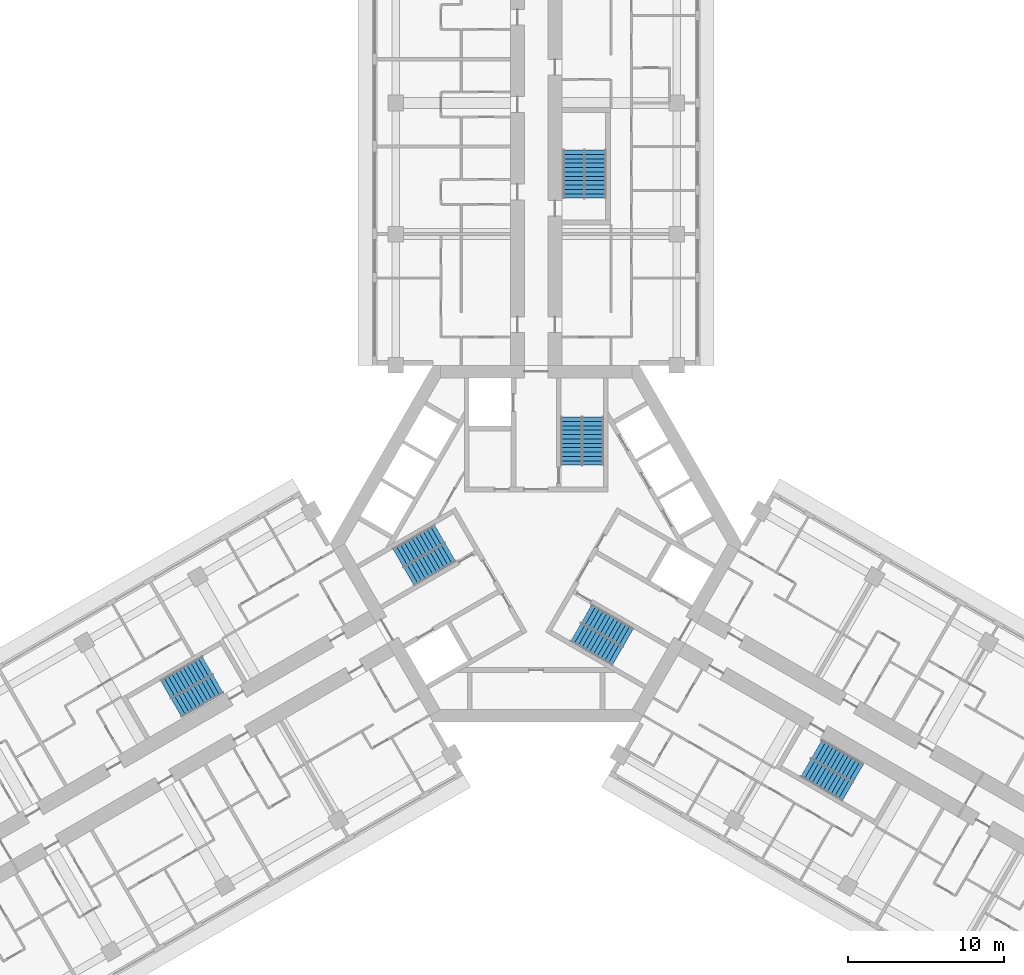
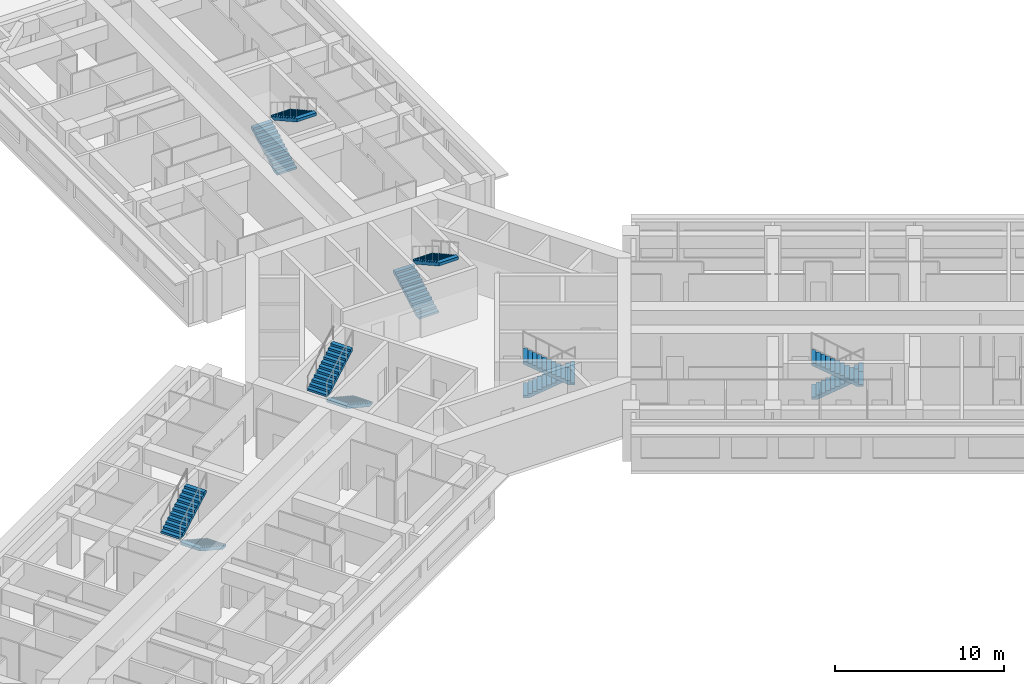
# One storey, part 14 of 16: 12 stair flights, 6 elements without a shape of their own.
"""IFC4 building model written with IfcOpenShell, lengths in metres."""

import ifcopenshell
import ifcopenshell.guid

model = None  # the IFC model being written
_history = None  # IfcOwnerHistory: only IFC2X3 demands one
_inside = {}  # id of a spatial element -> (the spatial element, [elements in it])
_under = {}  # id of a project, library or spatial element -> (it, [spatial elements below it])
_declared = {}  # id of a project -> (the project, [libraries it declares])
_typed = {}  # id of a type object -> (the type object, [elements of that type])
_made_of = {}  # id of a material, layer set ... -> (it, [elements and type objects made of it])


def new_model(schema):
    """Start an empty IFC model of exactly this schema.

    Asked for "IFC4X3", IfcOpenShell would pick the latest addendum, in which some entities
    have other attributes; the version numbers below select the first issue.
    IFC2X3 requires an IfcOwnerHistory on every rooted entity: one is made here for all.
    """
    global model, _history
    if schema == "IFC4X3":
        model = ifcopenshell.file(schema_version=(4, 3, 0, 0))
    else:
        model = ifcopenshell.file(schema=schema)
    _inside.clear()
    _under.clear()
    _declared.clear()
    _typed.clear()
    _made_of.clear()
    _history = None
    if model.schema == "IFC2X3":
        org = make("IfcOrganization", Name="unknown")
        user = make(
            "IfcPersonAndOrganization",
            ThePerson=make("IfcPerson", FamilyName="unknown"),
            TheOrganization=org,
        )
        app = make(
            "IfcApplication",
            ApplicationDeveloper=org,
            Version="unknown",
            ApplicationFullName="unknown",
            ApplicationIdentifier="unknown",
        )
        _history = make(
            "IfcOwnerHistory",
            OwningUser=user,
            OwningApplication=app,
            ChangeAction="ADDED",
            CreationDate=0,
        )
    return model


def make(cls, **values):
    """One entity of the class cls with the attributes given. An attribute that is None is left unset."""
    return model.create_entity(
        cls, **{name: value for name, value in values.items() if value is not None}
    )


def rooted(cls, **values):
    """An entity with a GlobalId (a new one), such as an element, a storey or a relation."""
    return make(cls, GlobalId=ifcopenshell.guid.new(), OwnerHistory=_history, **values)


def si_unit(unit_type, name, prefix=None):
    """IfcSIUnit, for example si_unit("LENGTHUNIT", "METRE", prefix="MILLI")."""
    return make("IfcSIUnit", UnitType=unit_type, Prefix=prefix, Name=name)


def assignment(units):
    """IfcUnitAssignment: the units of a project."""
    return None if units is None else make("IfcUnitAssignment", Units=units)


def point(xyz):
    """IfcCartesianPoint."""
    return None if xyz is None else make("IfcCartesianPoint", Coordinates=xyz)


def direction(xyz):
    """IfcDirection."""
    return None if xyz is None else make("IfcDirection", DirectionRatios=xyz)


def frame(location, z_axis=None, x_axis=None):
    """IfcAxis2Placement3D, a coordinate frame: its origin and axes. An axis left out is left unset."""
    return make(
        "IfcAxis2Placement3D",
        Location=point(location),
        Axis=direction(z_axis),
        RefDirection=direction(x_axis),
    )


def origin():
    """The frame at (0, 0, 0) with its axes left unset."""
    return frame((0.0, 0.0, 0.0))


def place(relative_to, where):
    """IfcLocalPlacement: puts the frame where relative to a parent placement (None: the world)."""
    return make(
        "IfcLocalPlacement", PlacementRelTo=relative_to, RelativePlacement=where
    )


def context(
    kind, dimensions, precision=None, world=None, true_north=None, identifier=None
):
    """IfcGeometricRepresentationContext, for example the 3D "Model" context."""
    return make(
        "IfcGeometricRepresentationContext",
        ContextIdentifier=identifier,
        ContextType=kind,
        CoordinateSpaceDimension=dimensions,
        Precision=precision,
        WorldCoordinateSystem=world,
        TrueNorth=true_north,
    )


def subcontext(parent, identifier, kind, view, scale=None):
    """IfcGeometricRepresentationSubContext, for example "Body" below "Model"."""
    return make(
        "IfcGeometricRepresentationSubContext",
        ContextIdentifier=identifier,
        ContextType=kind,
        ParentContext=parent,
        TargetScale=scale,
        TargetView=view,
    )


def project(units=None, contexts=None):
    """IfcProject with its units and contexts."""
    return rooted(
        "IfcProject",
        Name="project",
        RepresentationContexts=contexts,
        UnitsInContext=assignment(units),
    )


def spatial(cls, under=None, at=None, **own):
    """A site, building, storey or space (cls), placed at a placement, below another one or the project."""
    s = rooted(cls, ObjectPlacement=at, **own)
    if under is not None:
        _under.setdefault(under.id(), (under, []))[1].append(s)
    return s


def polyline(points):
    """IfcPolyline through the points."""
    return make("IfcPolyline", Points=[point(p) for p in points])


def outline(outer, holes=None, kind="AREA"):
    """IfcArbitraryClosedProfileDef: a profile drawn as a closed curve; with holes, ...WithVoids."""
    if holes is None:
        return make("IfcArbitraryClosedProfileDef", ProfileType=kind, OuterCurve=outer)
    return make(
        "IfcArbitraryProfileDefWithVoids",
        ProfileType=kind,
        OuterCurve=outer,
        InnerCurves=holes,
    )


def extrude(swept, where, along, depth):
    """IfcExtrudedAreaSolid: the profile swept, set in the frame where, extruded along a direction by depth."""
    return make(
        "IfcExtrudedAreaSolid",
        SweptArea=swept,
        Position=where,
        ExtrudedDirection=direction(along),
        Depth=depth,
    )


def shape(context_of_items, identifier, shape_type, items):
    """IfcShapeRepresentation: the items that make up one representation, for example the "Body"."""
    return make(
        "IfcShapeRepresentation",
        ContextOfItems=context_of_items,
        RepresentationIdentifier=identifier,
        RepresentationType=shape_type,
        Items=items,
    )


def material(Name=None, Category=None):
    """IfcMaterial."""
    return make("IfcMaterial", Name=Name, Category=Category)


def made_of(thing, what):
    """Note that an element or type object is made of a material, layer set ...; save() writes the relation."""
    if what is not None:
        _made_of.setdefault(what.id(), (what, []))[1].append(thing)
    return thing


def type_object(cls, material=None, **own):
    """A type object (cls), such as IfcWallType, which elements share."""
    return made_of(rooted(cls, **own), material)


def element(
    cls,
    number,
    at=None,
    inside=None,
    cuts=None,
    type_object=None,
    material=None,
    context=None,
    identifier="Body",
    shape_type=None,
    held_by="IfcProductDefinitionShape",
    body=None,
    shapes=None,
    **own,
):
    """One element of the class cls, such as IfcWall. Its Tag is "e" and its number.

    at: its placement. inside: the storey or other place that contains it. cuts: it is an
    opening in that element (IfcRelVoidsElement). A single representation is given by context,
    identifier, shape_type and body (its items); several are given by shapes. held_by: the class
    of the entity that holds the representations. save() writes the other relations.
    """
    e = rooted(cls, Tag="e%d" % number, ObjectPlacement=at, **own)
    if body is not None:
        shapes = [shape(context, identifier, shape_type, body)]
    if shapes is not None:
        e.Representation = make(held_by, Representations=shapes)
    if inside is not None:
        _inside.setdefault(inside.id(), (inside, []))[1].append(e)
    if cuts is not None:
        rooted(
            "IfcRelVoidsElement", RelatingBuildingElement=cuts, RelatedOpeningElement=e
        )
    if type_object is not None:
        _typed.setdefault(type_object.id(), (type_object, []))[1].append(e)
    return made_of(e, material)


def aggregate(whole, parts):
    """IfcRelAggregates: a whole, such as a stair, and the parts it consists of."""
    return rooted("IfcRelAggregates", RelatingObject=whole, RelatedObjects=parts)


def save(model, path):
    """Write the relations noted so far, then the file.

    IfcRelAggregates (storeys below a building ...), IfcRelContainedInSpatialStructure (elements
    in a storey), IfcRelDefinesByType, IfcRelAssociatesMaterial and IfcRelDeclares: one each for
    every whole, place, type object, material and project.
    """
    for whole, parts in _under.values():
        aggregate(whole, parts)
    for where, things in _inside.values():
        rooted(
            "IfcRelContainedInSpatialStructure",
            RelatedElements=things,
            RelatingStructure=where,
        )
    for kind, things in _typed.values():
        rooted("IfcRelDefinesByType", RelatedObjects=things, RelatingType=kind)
    for what, things in _made_of.values():
        rooted("IfcRelAssociatesMaterial", RelatedObjects=things, RelatingMaterial=what)
    for by, libraries in _declared.values():
        rooted("IfcRelDeclares", RelatingContext=by, RelatedDefinitions=libraries)
    model.write(path)


model = new_model("IFC4")

# Units and contexts
model_context = context("Model", 3, precision=1e-05, world=origin(), true_north=direction((0.0, 1.0)))
body_context = subcontext(model_context, "Body", "Model", "MODEL_VIEW")
ifc_project = project(units=[si_unit("LENGTHUNIT", "METRE"), si_unit("AREAUNIT", "SQUARE_METRE"), si_unit("VOLUMEUNIT", "CUBIC_METRE"), si_unit("PLANEANGLEUNIT", "RADIAN"), si_unit("MASSUNIT", "GRAM", prefix="KILO")], contexts=[model_context])

# Site, building, storey
site_placement = place(None, origin())
site = spatial("IfcSite", under=ifc_project, at=site_placement, CompositionType="ELEMENT")
building_placement = place(site_placement, origin())
building = spatial("IfcBuilding", under=site, at=building_placement, Name="Impinga Residences", CompositionType="ELEMENT")
storey_placement = place(building_placement, frame((0.0, 0.0, 106.0)))
storey = spatial("IfcBuildingStorey", under=building, at=storey_placement, Name="L25", CompositionType="ELEMENT", Elevation=106.0)

# Stair, stair flights
ifc_material = material(Name="Concrete C40/50", Category="concrete")
stair_type_1 = type_object("IfcStairType", Name="STR core stair 3750 storey, 24 risers", PredefinedType="HALF_TURN_STAIR", material=ifc_material)
stair_1_placement = place(storey_placement, origin())
stair_1 = element("IfcStair", 1, at=stair_1_placement, inside=storey, type_object=stair_type_1, Name="Stair ST1 L25", PredefinedType="HALF_TURN_STAIR")
stair_flight_type = type_object("IfcStairFlightType", Name="SF 12 risers of 156", PredefinedType="STRAIGHT", material=ifc_material)
stair_flight_1_placement = place(storey_placement, frame((2.27490234375, 5.030029296875, 0.0), z_axis=(0.0, 0.0, 1.0), x_axis=(0.0, 1.0, 0.0)))
stair_flight_1 = element("IfcStairFlight", 2, at=stair_flight_1_placement, type_object=stair_flight_type, Name="ST1 flight 1", NumberOfRisers=12, NumberOfTreads=11, PredefinedType="STRAIGHT", RiserHeight=0.15625, TreadLength=0.28, context=body_context, shape_type="SweptSolid", body=[
    extrude(outline(polyline([(0.0, 0.0), (0.0, 0.15625), (0.280029296875, 0.15625), (0.280029296875, 0.3125), (0.56005859375, 0.3125), (0.56005859375, 0.46875), (0.840087890625, 0.46875), (0.840087890625, 0.625), (1.1201171875, 0.625), (1.1201171875, 0.78125), (1.39990234375, 0.78125), (1.39990234375, 0.9375), (1.679931640625, 0.9375), (1.679931640625, 1.09375), (1.9599609375, 1.09375), (1.9599609375, 1.25), (2.239990234375, 1.25), (2.239990234375, 1.40625), (2.52001953125, 1.40625), (2.52001953125, 1.5625), (2.800048828125, 1.5625), (2.800048828125, 1.71875), (3.080078125, 1.71875), (3.080078125, 1.875), (3.080078125, 1.5126953125), (0.369140625, 0.0), (0.0, 0.0)])), frame((0.0, 0.675048828125, 0.0), z_axis=(0.0, -1.0, 0.0), x_axis=(1.0, 0.0, 0.0)), (0.0, 0.0, 1.0), 1.35009765625),
])
stair_flight_2_placement = place(storey_placement, frame((3.625, 8.110107421875, 1.875), z_axis=(0.0, 0.0, 1.0), x_axis=(0.0, -1.0, 0.0)))
stair_flight_2 = element("IfcStairFlight", 3, at=stair_flight_2_placement, type_object=stair_flight_type, Name="ST1 flight 2", NumberOfRisers=12, NumberOfTreads=11, PredefinedType="STRAIGHT", RiserHeight=0.15625, TreadLength=0.28, context=body_context, shape_type="SweptSolid", body=[
    extrude(outline(polyline([(0.0, 0.0), (0.0, 0.15625), (0.280029296875, 0.15625), (0.280029296875, 0.3125), (0.56005859375, 0.3125), (0.56005859375, 0.46875), (0.840087890625, 0.46875), (0.840087890625, 0.625), (1.1201171875, 0.625), (1.1201171875, 0.78125), (1.39990234375, 0.78125), (1.39990234375, 0.9375), (1.679931640625, 0.9375), (1.679931640625, 1.09375), (1.9599609375, 1.09375), (1.9599609375, 1.25), (2.239990234375, 1.25), (2.239990234375, 1.40625), (2.52001953125, 1.40625), (2.52001953125, 1.5625), (2.800048828125, 1.5625), (2.800048828125, 1.71875), (3.080078125, 1.71875), (3.080078125, 1.875), (3.080078125, 1.5126953125), (0.369140625, 0.0), (0.0, 0.0)])), frame((0.0, 0.675048828125, 0.0), z_axis=(0.0, -1.0, 0.0), x_axis=(1.0, 0.0, 0.0)), (0.0, 0.0, 1.0), 1.35009765625),
])
aggregate(stair_1, [stair_flight_1, stair_flight_2])

stair_2_placement = place(storey_placement, origin())
stair_2 = element("IfcStair", 4, at=stair_2_placement, inside=storey, type_object=stair_type_1, Name="Stair ST2 L25", PredefinedType="HALF_TURN_STAIR")
stair_flight_3_placement = place(storey_placement, frame((-5.49365234375, -0.544677734375, 0.0), z_axis=(0.0, 0.0, 1.0), x_axis=(-0.866025403784, -0.5, 0.0)))
stair_flight_3 = element("IfcStairFlight", 5, at=stair_flight_3_placement, type_object=stair_flight_type, Name="ST2 flight 1", NumberOfRisers=12, NumberOfTreads=11, PredefinedType="STRAIGHT", RiserHeight=0.15625, TreadLength=0.28, context=body_context, shape_type="SweptSolid", body=[
    extrude(outline(polyline([(0.0, 0.0), (0.0, 0.15625), (0.280029296875, 0.15625), (0.280029296875, 0.3125), (0.56005859375, 0.3125), (0.56005859375, 0.46875), (0.840087890625, 0.46875), (0.840087890625, 0.625), (1.1201171875, 0.625), (1.1201171875, 0.78125), (1.39990234375, 0.78125), (1.39990234375, 0.9375), (1.679931640625, 0.9375), (1.679931640625, 1.09375), (1.9599609375, 1.09375), (1.9599609375, 1.25), (2.239990234375, 1.25), (2.239990234375, 1.40625), (2.52001953125, 1.40625), (2.52001953125, 1.5625), (2.800048828125, 1.5625), (2.800048828125, 1.71875), (3.080078125, 1.71875), (3.080078125, 1.875), (3.080078125, 1.5126953125), (0.369140625, 0.0), (0.0, 0.0)])), frame((0.0, 0.675048828125, 0.0), z_axis=(0.0, -1.0, 0.0), x_axis=(1.0, 0.0, 0.0)), (0.0, 0.0, 1.0), 1.35009765625),
])
stair_flight_4_placement = place(storey_placement, frame((-8.8359375, -0.915771484375, 1.875), z_axis=(0.0, 0.0, 1.0), x_axis=(0.866025403784, 0.5, 0.0)))
stair_flight_4 = element("IfcStairFlight", 6, at=stair_flight_4_placement, type_object=stair_flight_type, Name="ST2 flight 2", NumberOfRisers=12, NumberOfTreads=11, PredefinedType="STRAIGHT", RiserHeight=0.15625, TreadLength=0.28, context=body_context, shape_type="SweptSolid", body=[
    extrude(outline(polyline([(0.0, 0.0), (0.0, 0.15625), (0.280029296875, 0.15625), (0.280029296875, 0.3125), (0.56005859375, 0.3125), (0.56005859375, 0.46875), (0.840087890625, 0.46875), (0.840087890625, 0.625), (1.1201171875, 0.625), (1.1201171875, 0.78125), (1.39990234375, 0.78125), (1.39990234375, 0.9375), (1.679931640625, 0.9375), (1.679931640625, 1.09375), (1.9599609375, 1.09375), (1.9599609375, 1.25), (2.239990234375, 1.25), (2.239990234375, 1.40625), (2.52001953125, 1.40625), (2.52001953125, 1.5625), (2.800048828125, 1.5625), (2.800048828125, 1.71875), (3.080078125, 1.71875), (3.080078125, 1.875), (3.080078125, 1.5126953125), (0.369140625, 0.0), (0.0, 0.0)])), frame((0.0, 0.675048828125, 0.0), z_axis=(0.0, -1.0, 0.0), x_axis=(1.0, 0.0, 0.0)), (0.0, 0.0, 1.0), 1.35009765625),
])
aggregate(stair_2, [stair_flight_3, stair_flight_4])

stair_3_placement = place(storey_placement, origin())
stair_3 = element("IfcStair", 7, at=stair_3_placement, inside=storey, type_object=stair_type_1, Name="Stair ST3 L25", PredefinedType="HALF_TURN_STAIR")
stair_flight_5_placement = place(storey_placement, frame((3.218505859375, -4.485107421875, 0.0), z_axis=(0.0, 0.0, 1.0), x_axis=(0.866025403784, -0.5, 0.0)))
stair_flight_5 = element("IfcStairFlight", 8, at=stair_flight_5_placement, type_object=stair_flight_type, Name="ST3 flight 1", NumberOfRisers=12, NumberOfTreads=11, PredefinedType="STRAIGHT", RiserHeight=0.15625, TreadLength=0.28, context=body_context, shape_type="SweptSolid", body=[
    extrude(outline(polyline([(0.0, 0.0), (0.0, 0.15625), (0.280029296875, 0.15625), (0.280029296875, 0.3125), (0.56005859375, 0.3125), (0.56005859375, 0.46875), (0.840087890625, 0.46875), (0.840087890625, 0.625), (1.1201171875, 0.625), (1.1201171875, 0.78125), (1.39990234375, 0.78125), (1.39990234375, 0.9375), (1.679931640625, 0.9375), (1.679931640625, 1.09375), (1.9599609375, 1.09375), (1.9599609375, 1.25), (2.239990234375, 1.25), (2.239990234375, 1.40625), (2.52001953125, 1.40625), (2.52001953125, 1.5625), (2.800048828125, 1.5625), (2.800048828125, 1.71875), (3.080078125, 1.71875), (3.080078125, 1.875), (3.080078125, 1.5126953125), (0.369140625, 0.0), (0.0, 0.0)])), frame((0.0, 0.675048828125, 0.0), z_axis=(0.0, -1.0, 0.0), x_axis=(1.0, 0.0, 0.0)), (0.0, 0.0, 1.0), 1.35009765625),
])
stair_flight_6_placement = place(storey_placement, frame((5.2109375, -7.1943359375, 1.875), z_axis=(0.0, 0.0, 1.0), x_axis=(-0.866025403784, 0.5, 0.0)))
stair_flight_6 = element("IfcStairFlight", 9, at=stair_flight_6_placement, type_object=stair_flight_type, Name="ST3 flight 2", NumberOfRisers=12, NumberOfTreads=11, PredefinedType="STRAIGHT", RiserHeight=0.15625, TreadLength=0.28, context=body_context, shape_type="SweptSolid", body=[
    extrude(outline(polyline([(0.0, 0.0), (0.0, 0.15625), (0.280029296875, 0.15625), (0.280029296875, 0.3125), (0.56005859375, 0.3125), (0.56005859375, 0.46875), (0.840087890625, 0.46875), (0.840087890625, 0.625), (1.1201171875, 0.625), (1.1201171875, 0.78125), (1.39990234375, 0.78125), (1.39990234375, 0.9375), (1.679931640625, 0.9375), (1.679931640625, 1.09375), (1.9599609375, 1.09375), (1.9599609375, 1.25), (2.239990234375, 1.25), (2.239990234375, 1.40625), (2.52001953125, 1.40625), (2.52001953125, 1.5625), (2.800048828125, 1.5625), (2.800048828125, 1.71875), (3.080078125, 1.71875), (3.080078125, 1.875), (3.080078125, 1.5126953125), (0.369140625, 0.0), (0.0, 0.0)])), frame((0.0, 0.675048828125, 0.0), z_axis=(0.0, -1.0, 0.0), x_axis=(1.0, 0.0, 0.0)), (0.0, 0.0, 1.0), 1.35009765625),
])
aggregate(stair_3, [stair_flight_5, stair_flight_6])

stair_type_2 = type_object("IfcStairType", Name="STR wing stair 3750 storey, 24 risers", PredefinedType="HALF_TURN_STAIR", material=ifc_material)
stair_4_placement = place(storey_placement, origin())
stair_4 = element("IfcStair", 10, at=stair_4_placement, inside=storey, type_object=stair_type_2, Name="Stair WS1 L25", PredefinedType="HALF_TURN_STAIR")
stair_flight_7_placement = place(storey_placement, frame((2.425048828125, 22.131591796875, 0.0), z_axis=(0.0, 0.0, 1.0), x_axis=(0.0, 1.0, 0.0)))
stair_flight_7 = element("IfcStairFlight", 11, at=stair_flight_7_placement, type_object=stair_flight_type, Name="WS1 flight 1", NumberOfRisers=12, NumberOfTreads=11, PredefinedType="STRAIGHT", RiserHeight=0.15625, TreadLength=0.28, context=body_context, shape_type="SweptSolid", body=[
    extrude(outline(polyline([(0.0, 0.0), (0.0, 0.15625), (0.280029296875, 0.15625), (0.280029296875, 0.3125), (0.56005859375, 0.3125), (0.56005859375, 0.46875), (0.840087890625, 0.46875), (0.840087890625, 0.625), (1.1201171875, 0.625), (1.1201171875, 0.78125), (1.39990234375, 0.78125), (1.39990234375, 0.9375), (1.679931640625, 0.9375), (1.679931640625, 1.09375), (1.9599609375, 1.09375), (1.9599609375, 1.25), (2.239990234375, 1.25), (2.239990234375, 1.40625), (2.52001953125, 1.40625), (2.52001953125, 1.5625), (2.800048828125, 1.5625), (2.800048828125, 1.71875), (3.080078125, 1.71875), (3.080078125, 1.875), (3.080078125, 1.5126953125), (0.369140625, 0.0), (0.0, 0.0)])), frame((0.0, 0.675048828125, 0.0), z_axis=(0.0, -1.0, 0.0), x_axis=(1.0, 0.0, 0.0)), (0.0, 0.0, 1.0), 1.35009765625),
])
stair_flight_8_placement = place(storey_placement, frame((3.77490234375, 25.21142578125, 1.875), z_axis=(0.0, 0.0, 1.0), x_axis=(0.0, -1.0, 0.0)))
stair_flight_8 = element("IfcStairFlight", 12, at=stair_flight_8_placement, type_object=stair_flight_type, Name="WS1 flight 2", NumberOfRisers=12, NumberOfTreads=11, PredefinedType="STRAIGHT", RiserHeight=0.15625, TreadLength=0.28, context=body_context, shape_type="SweptSolid", body=[
    extrude(outline(polyline([(0.0, 0.0), (0.0, 0.15625), (0.280029296875, 0.15625), (0.280029296875, 0.3125), (0.56005859375, 0.3125), (0.56005859375, 0.46875), (0.840087890625, 0.46875), (0.840087890625, 0.625), (1.1201171875, 0.625), (1.1201171875, 0.78125), (1.39990234375, 0.78125), (1.39990234375, 0.9375), (1.679931640625, 0.9375), (1.679931640625, 1.09375), (1.9599609375, 1.09375), (1.9599609375, 1.25), (2.239990234375, 1.25), (2.239990234375, 1.40625), (2.52001953125, 1.40625), (2.52001953125, 1.5625), (2.800048828125, 1.5625), (2.800048828125, 1.71875), (3.080078125, 1.71875), (3.080078125, 1.875), (3.080078125, 1.5126953125), (0.369140625, 0.0), (0.0, 0.0)])), frame((0.0, 0.675048828125, 0.0), z_axis=(0.0, -1.0, 0.0), x_axis=(1.0, 0.0, 0.0)), (0.0, 0.0, 1.0), 1.35009765625),
])
aggregate(stair_4, [stair_flight_7, stair_flight_8])

stair_5_placement = place(storey_placement, origin())
stair_5 = element("IfcStair", 13, at=stair_5_placement, inside=storey, type_object=stair_type_2, Name="Stair WS2 L25", PredefinedType="HALF_TURN_STAIR")
stair_flight_9_placement = place(storey_placement, frame((-20.37890625, -8.965576171875, 0.0), z_axis=(0.0, 0.0, 1.0), x_axis=(-0.866025403784, -0.5, 0.0)))
stair_flight_9 = element("IfcStairFlight", 14, at=stair_flight_9_placement, type_object=stair_flight_type, Name="WS2 flight 1", NumberOfRisers=12, NumberOfTreads=11, PredefinedType="STRAIGHT", RiserHeight=0.15625, TreadLength=0.28, context=body_context, shape_type="SweptSolid", body=[
    extrude(outline(polyline([(0.0, 0.0), (0.0, 0.15625), (0.280029296875, 0.15625), (0.280029296875, 0.3125), (0.56005859375, 0.3125), (0.56005859375, 0.46875), (0.840087890625, 0.46875), (0.840087890625, 0.625), (1.1201171875, 0.625), (1.1201171875, 0.78125), (1.39990234375, 0.78125), (1.39990234375, 0.9375), (1.679931640625, 0.9375), (1.679931640625, 1.09375), (1.9599609375, 1.09375), (1.9599609375, 1.25), (2.239990234375, 1.25), (2.239990234375, 1.40625), (2.52001953125, 1.40625), (2.52001953125, 1.5625), (2.800048828125, 1.5625), (2.800048828125, 1.71875), (3.080078125, 1.71875), (3.080078125, 1.875), (3.080078125, 1.5126953125), (0.369140625, 0.0), (0.0, 0.0)])), frame((0.0, 0.675048828125, 0.0), z_axis=(0.0, -1.0, 0.0), x_axis=(1.0, 0.0, 0.0)), (0.0, 0.0, 1.0), 1.35009765625),
])
stair_flight_10_placement = place(storey_placement, frame((-23.721435546875, -9.33642578125, 1.875), z_axis=(0.0, 0.0, 1.0), x_axis=(0.866025403784, 0.5, 0.0)))
stair_flight_10 = element("IfcStairFlight", 15, at=stair_flight_10_placement, type_object=stair_flight_type, Name="WS2 flight 2", NumberOfRisers=12, NumberOfTreads=11, PredefinedType="STRAIGHT", RiserHeight=0.15625, TreadLength=0.28, context=body_context, shape_type="SweptSolid", body=[
    extrude(outline(polyline([(0.0, 0.0), (0.0, 0.15625), (0.280029296875, 0.15625), (0.280029296875, 0.3125), (0.56005859375, 0.3125), (0.56005859375, 0.46875), (0.840087890625, 0.46875), (0.840087890625, 0.625), (1.1201171875, 0.625), (1.1201171875, 0.78125), (1.39990234375, 0.78125), (1.39990234375, 0.9375), (1.679931640625, 0.9375), (1.679931640625, 1.09375), (1.9599609375, 1.09375), (1.9599609375, 1.25), (2.239990234375, 1.25), (2.239990234375, 1.40625), (2.52001953125, 1.40625), (2.52001953125, 1.5625), (2.800048828125, 1.5625), (2.800048828125, 1.71875), (3.080078125, 1.71875), (3.080078125, 1.875), (3.080078125, 1.5126953125), (0.369140625, 0.0), (0.0, 0.0)])), frame((0.0, 0.675048828125, 0.0), z_axis=(0.0, -1.0, 0.0), x_axis=(1.0, 0.0, 0.0)), (0.0, 0.0, 1.0), 1.35009765625),
])
aggregate(stair_5, [stair_flight_9, stair_flight_10])

stair_6_placement = place(storey_placement, origin())
stair_6 = element("IfcStair", 16, at=stair_6_placement, inside=storey, type_object=stair_type_2, Name="Stair WS3 L25", PredefinedType="HALF_TURN_STAIR")
stair_flight_11_placement = place(storey_placement, frame((17.953857421875, -13.165771484375, 0.0), z_axis=(0.0, 0.0, 1.0), x_axis=(0.866025403784, -0.5, 0.0)))
stair_flight_11 = element("IfcStairFlight", 17, at=stair_flight_11_placement, type_object=stair_flight_type, Name="WS3 flight 1", NumberOfRisers=12, NumberOfTreads=11, PredefinedType="STRAIGHT", RiserHeight=0.15625, TreadLength=0.28, context=body_context, shape_type="SweptSolid", body=[
    extrude(outline(polyline([(0.0, 0.0), (0.0, 0.15625), (0.280029296875, 0.15625), (0.280029296875, 0.3125), (0.56005859375, 0.3125), (0.56005859375, 0.46875), (0.840087890625, 0.46875), (0.840087890625, 0.625), (1.1201171875, 0.625), (1.1201171875, 0.78125), (1.39990234375, 0.78125), (1.39990234375, 0.9375), (1.679931640625, 0.9375), (1.679931640625, 1.09375), (1.9599609375, 1.09375), (1.9599609375, 1.25), (2.239990234375, 1.25), (2.239990234375, 1.40625), (2.52001953125, 1.40625), (2.52001953125, 1.5625), (2.800048828125, 1.5625), (2.800048828125, 1.71875), (3.080078125, 1.71875), (3.080078125, 1.875), (3.080078125, 1.5126953125), (0.369140625, 0.0), (0.0, 0.0)])), frame((0.0, 0.675048828125, 0.0), z_axis=(0.0, -1.0, 0.0), x_axis=(1.0, 0.0, 0.0)), (0.0, 0.0, 1.0), 1.35009765625),
])
stair_flight_12_placement = place(storey_placement, frame((19.9462890625, -15.875, 1.875), z_axis=(0.0, 0.0, 1.0), x_axis=(-0.866025403784, 0.5, 0.0)))
stair_flight_12 = element("IfcStairFlight", 18, at=stair_flight_12_placement, type_object=stair_flight_type, Name="WS3 flight 2", NumberOfRisers=12, NumberOfTreads=11, PredefinedType="STRAIGHT", RiserHeight=0.15625, TreadLength=0.28, context=body_context, shape_type="SweptSolid", body=[
    extrude(outline(polyline([(0.0, 0.0), (0.0, 0.15625), (0.280029296875, 0.15625), (0.280029296875, 0.3125), (0.56005859375, 0.3125), (0.56005859375, 0.46875), (0.840087890625, 0.46875), (0.840087890625, 0.625), (1.1201171875, 0.625), (1.1201171875, 0.78125), (1.39990234375, 0.78125), (1.39990234375, 0.9375), (1.679931640625, 0.9375), (1.679931640625, 1.09375), (1.9599609375, 1.09375), (1.9599609375, 1.25), (2.239990234375, 1.25), (2.239990234375, 1.40625), (2.52001953125, 1.40625), (2.52001953125, 1.5625), (2.800048828125, 1.5625), (2.800048828125, 1.71875), (3.080078125, 1.71875), (3.080078125, 1.875), (3.080078125, 1.5126953125), (0.369140625, 0.0), (0.0, 0.0)])), frame((0.0, 0.675048828125, 0.0), z_axis=(0.0, -1.0, 0.0), x_axis=(1.0, 0.0, 0.0)), (0.0, 0.0, 1.0), 1.35009765625),
])
aggregate(stair_6, [stair_flight_11, stair_flight_12])

save(model, "model.ifc")
